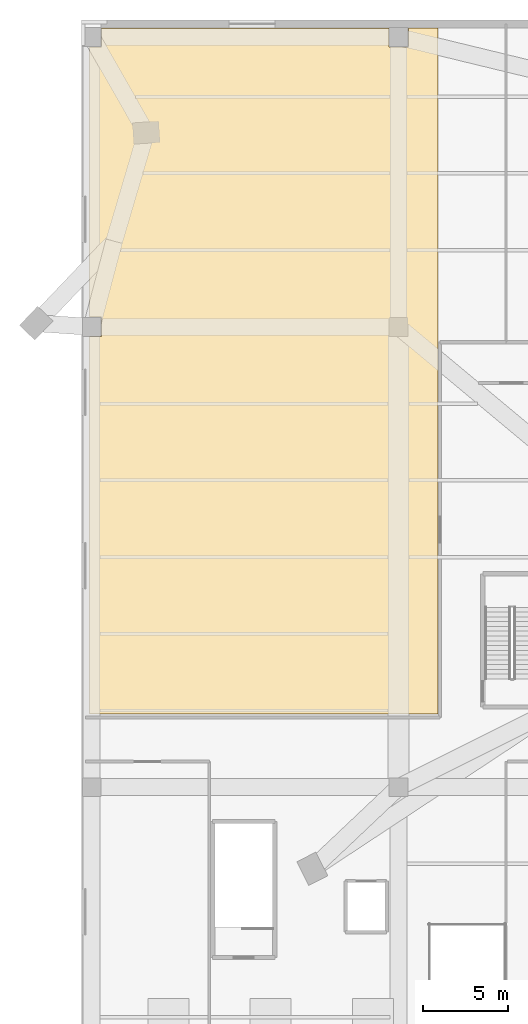
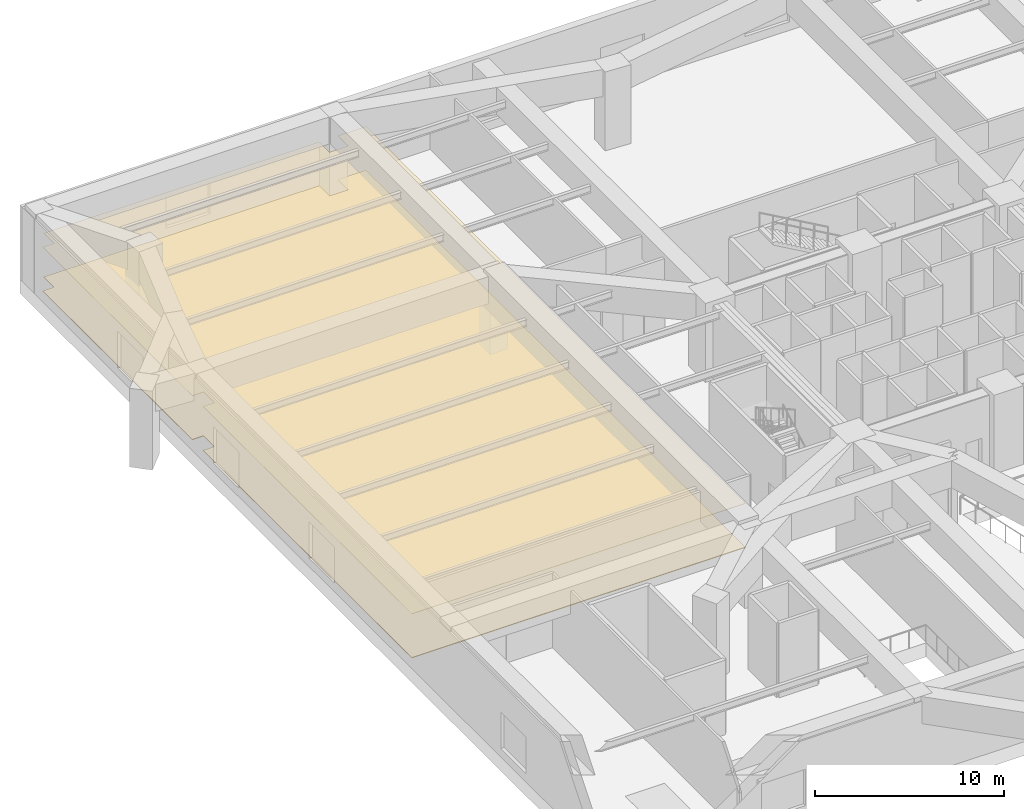
# One storey, part 12 of 14: 2 coverings.
"""IFC4 building model written with IfcOpenShell, lengths in metres."""

from ifc_helpers import new_model, si_unit, direction, frame, origin, place, context, subcontext, project, spatial, polyline, outline, extrude, material, layer, layer_set, type_object, element, save


model = new_model("IFC4")

# Units and contexts
model_context = context("Model", 3, precision=1e-05, world=origin(), true_north=direction((0.0, 1.0)))
body_context = subcontext(model_context, "Body", "Model", "MODEL_VIEW")
ifc_project = project(units=[si_unit("LENGTHUNIT", "METRE"), si_unit("AREAUNIT", "SQUARE_METRE"), si_unit("VOLUMEUNIT", "CUBIC_METRE"), si_unit("PLANEANGLEUNIT", "RADIAN"), si_unit("MASSUNIT", "GRAM", prefix="KILO")], contexts=[model_context])

# Site, building, storey
site_placement = place(None, origin())
site = spatial("IfcSite", under=ifc_project, at=site_placement, CompositionType="ELEMENT")
building_placement = place(site_placement, origin())
building = spatial("IfcBuilding", under=site, at=building_placement, Name="Liaohun Quay Tower", CompositionType="ELEMENT")
storey_placement = place(building_placement, frame((0.0, 0.0, 23.39990234375)))
storey = spatial("IfcBuildingStorey", under=building, at=storey_placement, Name="L06", CompositionType="ELEMENT", Elevation=23.39990234375)

# Coverings
ifc_material_1 = material(Name="Mineral-fibre acoustic ceiling tile")
ifc_layer_1 = layer(ifc_material_1, 0.02490234375, Name="Mineral-fibre acoustic ceiling tile")
ifc_layer_set_1 = layer_set([ifc_layer_1], Name="Mineral-fibre acoustic ceiling tile")
covering_type_1 = type_object("IfcCoveringType", Name="COV-CEIL-ACT", PredefinedType="CEILING", material=ifc_layer_set_1)
covering_1_placement = place(storey_placement, frame((0.0, 0.0, 2.85009765625)))
element("IfcCovering", 1, at=covering_1_placement, inside=storey, type_object=covering_type_1, Name="L06 Fitness and Wellness Studio Acoustic Ceiling", PredefinedType="CEILING", context=body_context, shape_type="SweptSolid", body=[
    extrude(outline(polyline([(42.570068359375, 86.52001953125), (42.570068359375, 85.429931640625), (41.429931640625, 85.429931640625), (41.429931640625, 86.52001953125), (24.570068359375, 86.52001953125), (24.570068359375, 85.429931640625), (23.8798828125, 85.429931640625), (23.8798828125, 69.570068359375), (24.570068359375, 69.570068359375), (24.570068359375, 68.429931640625), (23.8798828125, 68.429931640625), (23.8798828125, 46.300048828125), (44.300048828125, 46.300048828125), (44.300048828125, 86.52001953125), (42.570068359375, 86.52001953125)])), origin(), (0.0, 0.0, 1.0), 0.02490234375),
])
ifc_material_2 = material(Name="Calcium-sulphate raised access floor tile")
ifc_layer_2 = layer(ifc_material_2, 0.044921875, Name="Calcium-sulphate raised access floor tile")
ifc_layer_set_2 = layer_set([ifc_layer_2], Name="Calcium-sulphate raised access floor tile")
covering_type_2 = type_object("IfcCoveringType", Name="COV-FLR-RAF", PredefinedType="FLOORING", material=ifc_layer_set_2)
covering_2_placement = place(storey_placement, origin())
element("IfcCovering", 2, at=covering_2_placement, inside=storey, type_object=covering_type_2, Name="L06 Fitness and Wellness Studio Floor Finish", PredefinedType="FLOORING", context=body_context, shape_type="SweptSolid", body=[
    extrude(outline(polyline([(42.570068359375, 86.52001953125), (42.570068359375, 85.429931640625), (41.429931640625, 85.429931640625), (41.429931640625, 86.52001953125), (24.570068359375, 86.52001953125), (24.570068359375, 85.429931640625), (23.8798828125, 85.429931640625), (23.8798828125, 69.570068359375), (24.570068359375, 69.570068359375), (24.570068359375, 68.429931640625), (23.8798828125, 68.429931640625), (23.8798828125, 46.300048828125), (44.300048828125, 46.300048828125), (44.300048828125, 86.52001953125), (42.570068359375, 86.52001953125)])), origin(), (0.0, 0.0, 1.0), 0.045166015625),
])

save(model, "model.ifc")
